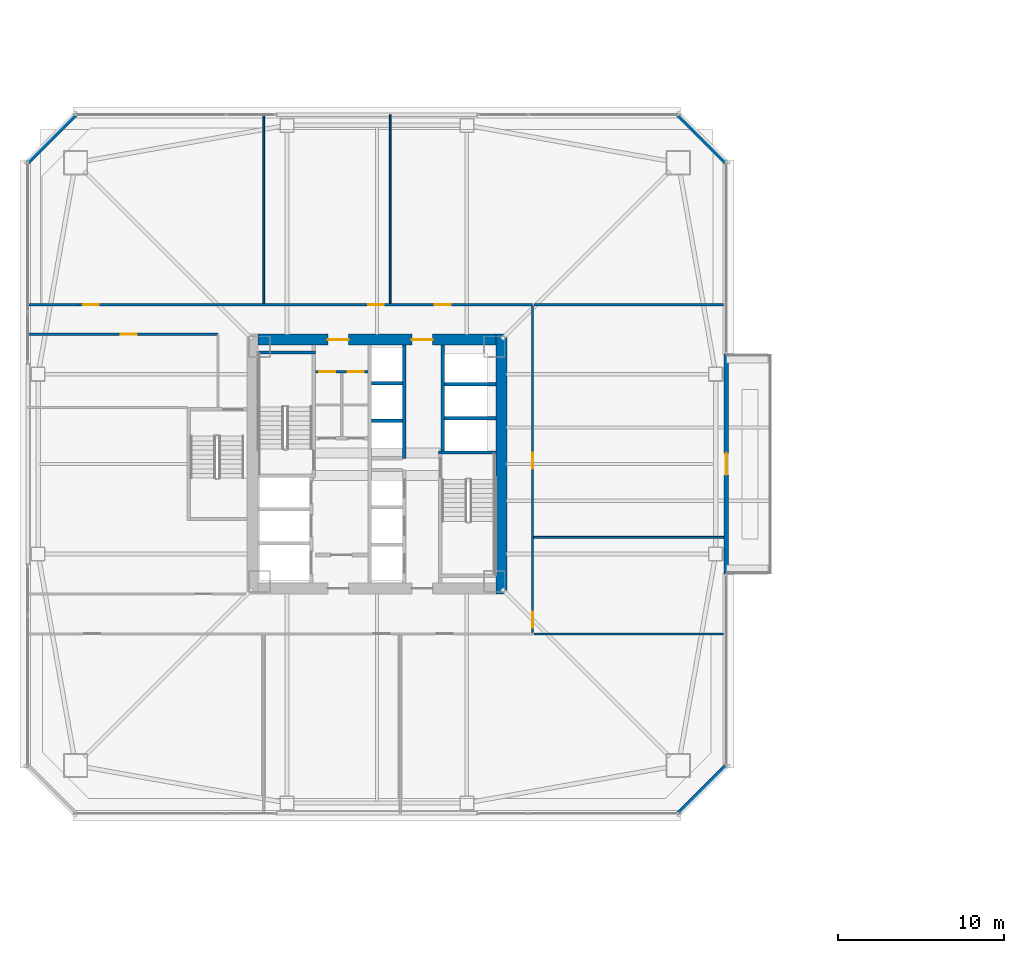
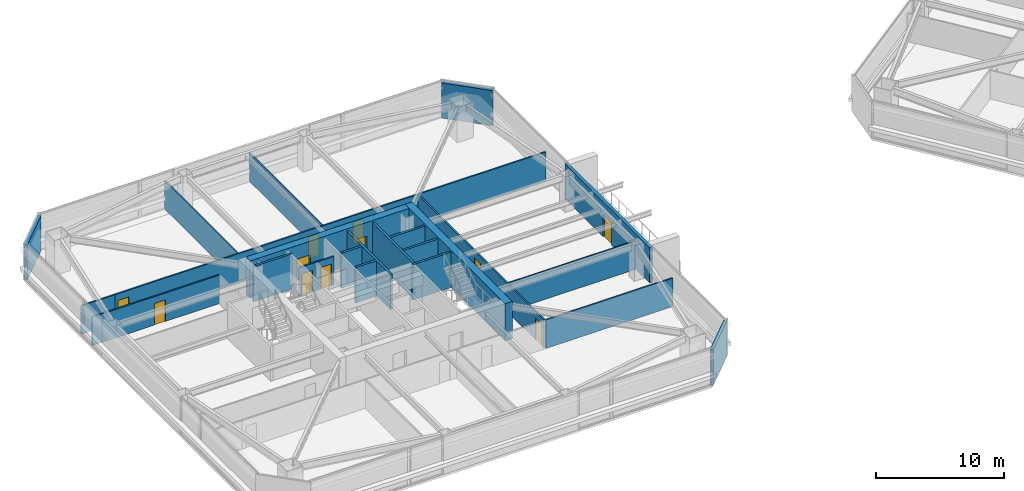
# One storey, part 35 of 44: 24 walls, 11 doors, 11 openings.
"""IFC4 building model written with IfcOpenShell, lengths in metres."""

import ifcopenshell
import ifcopenshell.guid

model = None  # the IFC model being written
_history = None  # IfcOwnerHistory: only IFC2X3 demands one
_inside = {}  # id of a spatial element -> (the spatial element, [elements in it])
_under = {}  # id of a project, library or spatial element -> (it, [spatial elements below it])
_declared = {}  # id of a project -> (the project, [libraries it declares])
_typed = {}  # id of a type object -> (the type object, [elements of that type])
_made_of = {}  # id of a material, layer set ... -> (it, [elements and type objects made of it])


def new_model(schema):
    """Start an empty IFC model of exactly this schema.

    Asked for "IFC4X3", IfcOpenShell would pick the latest addendum, in which some entities
    have other attributes; the version numbers below select the first issue.
    IFC2X3 requires an IfcOwnerHistory on every rooted entity: one is made here for all.
    """
    global model, _history
    if schema == "IFC4X3":
        model = ifcopenshell.file(schema_version=(4, 3, 0, 0))
    else:
        model = ifcopenshell.file(schema=schema)
    _inside.clear()
    _under.clear()
    _declared.clear()
    _typed.clear()
    _made_of.clear()
    _history = None
    if model.schema == "IFC2X3":
        org = make("IfcOrganization", Name="unknown")
        user = make(
            "IfcPersonAndOrganization",
            ThePerson=make("IfcPerson", FamilyName="unknown"),
            TheOrganization=org,
        )
        app = make(
            "IfcApplication",
            ApplicationDeveloper=org,
            Version="unknown",
            ApplicationFullName="unknown",
            ApplicationIdentifier="unknown",
        )
        _history = make(
            "IfcOwnerHistory",
            OwningUser=user,
            OwningApplication=app,
            ChangeAction="ADDED",
            CreationDate=0,
        )
    return model


def make(cls, **values):
    """One entity of the class cls with the attributes given. An attribute that is None is left unset."""
    return model.create_entity(
        cls, **{name: value for name, value in values.items() if value is not None}
    )


def rooted(cls, **values):
    """An entity with a GlobalId (a new one), such as an element, a storey or a relation."""
    return make(cls, GlobalId=ifcopenshell.guid.new(), OwnerHistory=_history, **values)


def si_unit(unit_type, name, prefix=None):
    """IfcSIUnit, for example si_unit("LENGTHUNIT", "METRE", prefix="MILLI")."""
    return make("IfcSIUnit", UnitType=unit_type, Prefix=prefix, Name=name)


def assignment(units):
    """IfcUnitAssignment: the units of a project."""
    return None if units is None else make("IfcUnitAssignment", Units=units)


def point(xyz):
    """IfcCartesianPoint."""
    return None if xyz is None else make("IfcCartesianPoint", Coordinates=xyz)


def direction(xyz):
    """IfcDirection."""
    return None if xyz is None else make("IfcDirection", DirectionRatios=xyz)


def frame(location, z_axis=None, x_axis=None):
    """IfcAxis2Placement3D, a coordinate frame: its origin and axes. An axis left out is left unset."""
    return make(
        "IfcAxis2Placement3D",
        Location=point(location),
        Axis=direction(z_axis),
        RefDirection=direction(x_axis),
    )


def frame_2d(location, x_axis=None):
    """IfcAxis2Placement2D, a coordinate frame in the plane: its origin and x axis."""
    return make(
        "IfcAxis2Placement2D", Location=point(location), RefDirection=direction(x_axis)
    )


def origin():
    """The frame at (0, 0, 0) with its axes left unset."""
    return frame((0.0, 0.0, 0.0))


def place(relative_to, where):
    """IfcLocalPlacement: puts the frame where relative to a parent placement (None: the world)."""
    return make(
        "IfcLocalPlacement", PlacementRelTo=relative_to, RelativePlacement=where
    )


def context(
    kind, dimensions, precision=None, world=None, true_north=None, identifier=None
):
    """IfcGeometricRepresentationContext, for example the 3D "Model" context."""
    return make(
        "IfcGeometricRepresentationContext",
        ContextIdentifier=identifier,
        ContextType=kind,
        CoordinateSpaceDimension=dimensions,
        Precision=precision,
        WorldCoordinateSystem=world,
        TrueNorth=true_north,
    )


def subcontext(parent, identifier, kind, view, scale=None):
    """IfcGeometricRepresentationSubContext, for example "Body" below "Model"."""
    return make(
        "IfcGeometricRepresentationSubContext",
        ContextIdentifier=identifier,
        ContextType=kind,
        ParentContext=parent,
        TargetScale=scale,
        TargetView=view,
    )


def project(units=None, contexts=None):
    """IfcProject with its units and contexts."""
    return rooted(
        "IfcProject",
        Name="project",
        RepresentationContexts=contexts,
        UnitsInContext=assignment(units),
    )


def spatial(cls, under=None, at=None, **own):
    """A site, building, storey or space (cls), placed at a placement, below another one or the project."""
    s = rooted(cls, ObjectPlacement=at, **own)
    if under is not None:
        _under.setdefault(under.id(), (under, []))[1].append(s)
    return s


def profile(cls, at=None, kind="AREA", **sizes):
    """A parametric profile (cls). Its sizes go by their IFC names, for example OverallWidth=200.0."""
    return make(cls, ProfileType=kind, Position=at, **sizes)


def rectangle(**sizes):
    """IfcRectangleProfileDef."""
    return profile("IfcRectangleProfileDef", **sizes)


def extrude(swept, where, along, depth):
    """IfcExtrudedAreaSolid: the profile swept, set in the frame where, extruded along a direction by depth."""
    return make(
        "IfcExtrudedAreaSolid",
        SweptArea=swept,
        Position=where,
        ExtrudedDirection=direction(along),
        Depth=depth,
    )


def shape(context_of_items, identifier, shape_type, items):
    """IfcShapeRepresentation: the items that make up one representation, for example the "Body"."""
    return make(
        "IfcShapeRepresentation",
        ContextOfItems=context_of_items,
        RepresentationIdentifier=identifier,
        RepresentationType=shape_type,
        Items=items,
    )


def material(Name=None, Category=None):
    """IfcMaterial."""
    return make("IfcMaterial", Name=Name, Category=Category)


def layer(
    of_material, thickness, ventilated=None, Name=None, Category=None, Priority=None
):
    """IfcMaterialLayer: one layer of a wall or slab, of a material (None: an air gap)."""
    return make(
        "IfcMaterialLayer",
        Material=of_material,
        LayerThickness=thickness,
        IsVentilated=ventilated,
        Name=Name,
        Category=Category,
        Priority=Priority,
    )


def layer_set(layers, Name=None):
    """IfcMaterialLayerSet."""
    return make("IfcMaterialLayerSet", MaterialLayers=layers, LayerSetName=Name)


def made_of(thing, what):
    """Note that an element or type object is made of a material, layer set ...; save() writes the relation."""
    if what is not None:
        _made_of.setdefault(what.id(), (what, []))[1].append(thing)
    return thing


def type_object(cls, material=None, **own):
    """A type object (cls), such as IfcWallType, which elements share."""
    return made_of(rooted(cls, **own), material)


def element(
    cls,
    number,
    at=None,
    inside=None,
    cuts=None,
    type_object=None,
    material=None,
    context=None,
    identifier="Body",
    shape_type=None,
    held_by="IfcProductDefinitionShape",
    body=None,
    shapes=None,
    **own,
):
    """One element of the class cls, such as IfcWall. Its Tag is "e" and its number.

    at: its placement. inside: the storey or other place that contains it. cuts: it is an
    opening in that element (IfcRelVoidsElement). A single representation is given by context,
    identifier, shape_type and body (its items); several are given by shapes. held_by: the class
    of the entity that holds the representations. save() writes the other relations.
    """
    e = rooted(cls, Tag="e%d" % number, ObjectPlacement=at, **own)
    if body is not None:
        shapes = [shape(context, identifier, shape_type, body)]
    if shapes is not None:
        e.Representation = make(held_by, Representations=shapes)
    if inside is not None:
        _inside.setdefault(inside.id(), (inside, []))[1].append(e)
    if cuts is not None:
        rooted(
            "IfcRelVoidsElement", RelatingBuildingElement=cuts, RelatedOpeningElement=e
        )
    if type_object is not None:
        _typed.setdefault(type_object.id(), (type_object, []))[1].append(e)
    return made_of(e, material)


def fill(opening, filler):
    """IfcRelFillsElement: the door or window that sits in an opening."""
    return rooted(
        "IfcRelFillsElement",
        RelatingOpeningElement=opening,
        RelatedBuildingElement=filler,
    )


def aggregate(whole, parts):
    """IfcRelAggregates: a whole, such as a stair, and the parts it consists of."""
    return rooted("IfcRelAggregates", RelatingObject=whole, RelatedObjects=parts)


def save(model, path):
    """Write the relations noted so far, then the file.

    IfcRelAggregates (storeys below a building ...), IfcRelContainedInSpatialStructure (elements
    in a storey), IfcRelDefinesByType, IfcRelAssociatesMaterial and IfcRelDeclares: one each for
    every whole, place, type object, material and project.
    """
    for whole, parts in _under.values():
        aggregate(whole, parts)
    for where, things in _inside.values():
        rooted(
            "IfcRelContainedInSpatialStructure",
            RelatedElements=things,
            RelatingStructure=where,
        )
    for kind, things in _typed.values():
        rooted("IfcRelDefinesByType", RelatedObjects=things, RelatingType=kind)
    for what, things in _made_of.values():
        rooted("IfcRelAssociatesMaterial", RelatedObjects=things, RelatingMaterial=what)
    for by, libraries in _declared.values():
        rooted("IfcRelDeclares", RelatingContext=by, RelatedDefinitions=libraries)
    model.write(path)


model = new_model("IFC4")

# Units and contexts
model_context = context("Model", 3, precision=1e-05, world=origin(), true_north=direction((0.0, 1.0)))
body_context = subcontext(model_context, "Body", "Model", "MODEL_VIEW")
ifc_project = project(units=[si_unit("LENGTHUNIT", "METRE"), si_unit("AREAUNIT", "SQUARE_METRE"), si_unit("VOLUMEUNIT", "CUBIC_METRE"), si_unit("PLANEANGLEUNIT", "RADIAN"), si_unit("MASSUNIT", "GRAM", prefix="KILO")], contexts=[model_context])

# Site, building, storey
site_placement = place(None, origin())
site = spatial("IfcSite", under=ifc_project, at=site_placement, CompositionType="ELEMENT")
building_placement = place(site_placement, origin())
building = spatial("IfcBuilding", under=site, at=building_placement, Name="Tashvorn Skyway Center", CompositionType="ELEMENT")
storey_placement = place(building_placement, frame((0.0, 0.0, 102.699951171875)))
storey = spatial("IfcBuildingStorey", under=building, at=storey_placement, Name="L27", CompositionType="ELEMENT", Elevation=102.699951171875)

# Wall
ifc_material_1 = material(Name="Concrete C60/75", Category="concrete")
ifc_layer_1 = layer(ifc_material_1, 0.64990234375)
ifc_layer_set_1 = layer_set([ifc_layer_1], Name="Concrete C60/75")
wall_type_1 = type_object("IfcWallType", Name="WALL-CORE-650", PredefinedType="SHEAR", material=ifc_layer_set_1)
wall_1_placement = place(storey_placement, frame((49.47509765625, 39.800048828125, 0.0), z_axis=(0.0, 0.0, 1.0), x_axis=(0.0, -1.0, 0.0)))
element("IfcWall", 1, at=wall_1_placement, inside=storey, type_object=wall_type_1, Name="Tower 1 L27 East Core Shear Wall", PredefinedType="SHEAR", context=body_context, shape_type="SweptSolid", body=[
    extrude(rectangle(XDim=15.60009765625, YDim=0.64990234375, at=frame_2d((7.800048828125, 0.0))), origin(), (0.0, 0.0, 1.0), 3.550048828125),
])

# Wall, openings, doors
wall_2_placement = place(storey_placement, frame((34.85009765625, 39.47509765625, 0.0), z_axis=(0.0, 0.0, 1.0), x_axis=(1.0, 0.0, 0.0)))
wall_2 = element("IfcWall", 2, at=wall_2_placement, inside=storey, type_object=wall_type_1, Name="Tower 1 L27 North Core Shear Wall", PredefinedType="SHEAR", context=body_context, shape_type="SweptSolid", body=[
    extrude(rectangle(XDim=14.2998046875, YDim=0.64990234375, at=frame_2d((7.14990234375, 0.0))), origin(), (0.0, 0.0, 1.0), 3.550048828125),
])
opening_1_placement = place(wall_2_placement, frame((4.199951171875, 0.0, 0.0)))
opening_1 = element("IfcOpeningElement", 3, at=opening_1_placement, cuts=wall_2, Name="Opening D-FFL-1250", PredefinedType="OPENING", context=body_context, shape_type="SweptSolid", body=[
    extrude(rectangle(XDim=1.25, YDim=2.25, at=frame_2d((0.625, 1.125))), frame((0.0, 0.3349609375, 0.0), z_axis=(0.0, -1.0, 0.0), x_axis=(1.0, 0.0, 0.0)), (0.0, 0.0, 1.0), 0.669921875),
])
opening_2_placement = place(wall_2_placement, frame((9.25, 0.0, 0.0)))
opening_2 = element("IfcOpeningElement", 4, at=opening_2_placement, cuts=wall_2, Name="Opening D-FFL-1250", PredefinedType="OPENING", context=body_context, shape_type="SweptSolid", body=[
    extrude(rectangle(XDim=1.25, YDim=2.25, at=frame_2d((0.625, 1.125))), frame((0.0, 0.3349609375, 0.0), z_axis=(0.0, -1.0, 0.0), x_axis=(1.0, 0.0, 0.0)), (0.0, 0.0, 1.0), 0.669921875),
])
ifc_material_2 = material(Name="Hollow galvanized steel fire door assembly", Category="steel")
door_type_1 = type_object("IfcDoorType", Name="DOOR-FFL-1250", OperationType="NOTDEFINED", PredefinedType="DOOR", material=ifc_material_2)
door_1_placement = place(opening_1_placement, origin())
door_1 = element("IfcDoor", 5, at=door_1_placement, inside=storey, type_object=door_type_1, Name="Tower 1 L27 Core North Service Lobby Door", OperationType="SINGLE_SWING_LEFT", OverallHeight=2.25, OverallWidth=1.25, PredefinedType="DOOR", context=body_context, shape_type="SweptSolid", body=[
    extrude(rectangle(XDim=1.25, YDim=2.25, at=frame_2d((0.625, 1.125))), frame((0.0, 0.02490234375, 0.0), z_axis=(0.0, -1.0, 0.0), x_axis=(1.0, 0.0, 0.0)), (0.0, 0.0, 1.0), 0.050048828125),
])
fill(opening_1, door_1)
door_2_placement = place(opening_2_placement, origin())
door_2 = element("IfcDoor", 6, at=door_2_placement, inside=storey, type_object=door_type_1, Name="Tower 1 L27 Core North Lift Lobby Door", OperationType="SINGLE_SWING_RIGHT", OverallHeight=2.25, OverallWidth=1.25, PredefinedType="DOOR", context=body_context, shape_type="SweptSolid", body=[
    extrude(rectangle(XDim=1.25, YDim=2.25, at=frame_2d((0.625, 1.125))), frame((0.0, 0.02490234375, 0.0), z_axis=(0.0, -1.0, 0.0), x_axis=(1.0, 0.0, 0.0)), (0.0, 0.0, 1.0), 0.050048828125),
])
fill(opening_2, door_2)

# Wall, opening, door
ifc_material_3 = material(Name="Precast concrete C40/50", Category="concrete")
ifc_layer_2 = layer(ifc_material_3, 0.280029296875)
ifc_layer_set_2 = layer_set([ifc_layer_2], Name="Precast concrete C40/50")
wall_type_2 = type_object("IfcWallType", Name="WALL-EXT-280", PredefinedType="SOLIDWALL", material=ifc_layer_set_2)
wall_3_placement = place(storey_placement, frame((62.97998046875, 38.60009765625, 0.0), z_axis=(0.0, 0.0, 1.0), x_axis=(0.0, -1.0, 0.0)))
wall_3 = element("IfcWall", 7, at=wall_3_placement, inside=storey, type_object=wall_type_2, Name="Tower 1 L27 East Sky Garden Loggia Wall", PredefinedType="SOLIDWALL", context=body_context, shape_type="SweptSolid", body=[
    extrude(rectangle(XDim=13.2001953125, YDim=0.280029296875, at=frame_2d((6.60009765625, 0.0))), origin(), (0.0, 0.0, 1.0), 3.35009765625),
])
opening_3_placement = place(wall_3_placement, frame((5.949951171875, 0.0, 0.0)))
opening_3 = element("IfcOpeningElement", 8, at=opening_3_placement, cuts=wall_3, Name="Opening D-TER-1300", PredefinedType="OPENING", context=body_context, shape_type="SweptSolid", body=[
    extrude(rectangle(XDim=1.300048828125, YDim=2.14990234375, at=frame_2d((0.64990234375, 1.074951171875))), frame((0.0, 0.14990234375, 0.0), z_axis=(0.0, -1.0, 0.0), x_axis=(1.0, 0.0, 0.0)), (0.0, 0.0, 1.0), 0.300048828125),
])
ifc_material_4 = material(Name="Thermally broken bronze-anodized aluminium 6063-T6", Category="aluminium")
door_type_2 = type_object("IfcDoorType", Name="DOOR-TERR-1300", OperationType="NOTDEFINED", PredefinedType="DOOR", material=ifc_material_4)
door_3_placement = place(opening_3_placement, origin())
door_3 = element("IfcDoor", 9, at=door_3_placement, inside=storey, type_object=door_type_2, Name="Tower 1 L27 Sky Garden Access Door", OperationType="SINGLE_SWING_LEFT", OverallHeight=2.14990234375, OverallWidth=1.300048828125, PredefinedType="DOOR", context=body_context, shape_type="SweptSolid", body=[
    extrude(rectangle(XDim=1.300048828125, YDim=2.14990234375, at=frame_2d((0.64990234375, 1.074951171875))), frame((0.0, 0.02490234375, 0.0), z_axis=(0.0, -1.0, 0.0), x_axis=(1.0, 0.0, 0.0)), (0.0, 0.0, 1.0), 0.050048828125),
])
fill(opening_3, door_3)

# Walls
for number, where, z_axis, x_axis, name in (
    (10, (21.0, 50.10009765625, 0.0), (0.0, 0.0, 1.0), (0.707106781187, 0.707106781187, 0.0), "Tower 1 L27 NW Precast Chamfer Wall"),
    (11, (60.10009765625, 53.0, 0.0), (0.0, 0.0, 1.0), (0.707106781187, -0.707106781187, 0.0), "Tower 1 L27 NE Precast Chamfer Wall"),
    (12, (63.0, 13.89990234375, 0.0), (0.0, 0.0, 1.0), (-0.707106781187, -0.707106781187, 0.0), "Tower 1 L27 SE Precast Chamfer Wall"),
):
    element("IfcWall", number, at=place(storey_placement, frame(where, z_axis=z_axis, x_axis=x_axis)), inside=storey, type_object=wall_type_2, Name=name, PredefinedType="SOLIDWALL", context=body_context, shape_type="SweptSolid", body=[
        extrude(rectangle(XDim=4.10107421875, YDim=0.280029296875, at=frame_2d((2.050537109375, 0.0))), origin(), (0.0, 0.0, 1.0), 3.35009765625),
    ])
ifc_material_5 = material(Name="Gypsum board on cold-formed steel stud framing", Category="steel")
ifc_layer_3 = layer(ifc_material_5, 0.110107421875)
ifc_layer_set_3 = layer_set([ifc_layer_3], Name="Gypsum board on cold-formed steel stud framing")
wall_type_3 = type_object("IfcWallType", Name="WALL-PART-110", PredefinedType="PARTITIONING", material=ifc_layer_set_3)
for number, where, z_axis, x_axis, name in (
    (13, (35.199951171875, 41.64990234375, 0.0), (0.0, 0.0, 1.0), (0.0, 1.0, 0.0), "Tower 1 L27 North Suite Partition 1"),
    (14, (42.800048828125, 41.64990234375, 0.0), (0.0, 0.0, 1.0), (0.0, 1.0, 0.0), "Tower 1 L27 North Suite Partition 2"),
):
    element("IfcWall", number, at=place(storey_placement, frame(where, z_axis=z_axis, x_axis=x_axis)), inside=storey, type_object=wall_type_3, Name=name, PredefinedType="PARTITIONING", context=body_context, shape_type="SweptSolid", body=[
        extrude(rectangle(XDim=11.330078125, YDim=0.110107421875, at=frame_2d((5.6650390625, 0.0))), origin(), (0.0, 0.0, 1.0), 2.703125),
    ])
wall_4_placement = place(storey_placement, frame((51.429931640625, 27.60009765625, 0.0), z_axis=(0.0, 0.0, 1.0), x_axis=(1.0, 0.0, 0.0)))
element("IfcWall", 15, at=wall_4_placement, inside=storey, type_object=wall_type_3, Name="Tower 1 L27 East Suite Partition 1", PredefinedType="PARTITIONING", context=body_context, shape_type="SweptSolid", body=[
    extrude(rectangle(XDim=11.400146484375, YDim=0.110107421875, at=frame_2d((5.7001953125, 0.0))), origin(), (0.0, 0.0, 1.0), 2.703125),
])

# Wall, openings, doors
ifc_layer_4 = layer(ifc_material_5, 0.135009765625)
ifc_layer_set_4 = layer_set([ifc_layer_4], Name="Gypsum board on cold-formed steel stud framing")
wall_type_4 = type_object("IfcWallType", Name="WALL-PART-135", PredefinedType="PARTITIONING", material=ifc_layer_set_4)
wall_5_placement = place(storey_placement, frame((24.050048828125, 41.570068359375, 0.0), z_axis=(0.0, 0.0, 1.0), x_axis=(1.0, 0.0, 0.0)))
wall_5 = element("IfcWall", 16, at=wall_5_placement, inside=storey, type_object=wall_type_4, Name="Tower 1 L27 North Suite Wall", PredefinedType="PARTITIONING", context=body_context, shape_type="SweptSolid", body=[
    extrude(rectangle(XDim=27.300048828125, YDim=0.135009765625, at=frame_2d((13.64990234375, 0.0))), origin(), (0.0, 0.0, 1.0), 2.703125),
])
opening_4_placement = place(wall_5_placement, frame((0.300048828125, 0.0, 0.0)))
opening_4 = element("IfcOpeningElement", 17, at=opening_4_placement, cuts=wall_5, Name="Opening D-INT-950", PredefinedType="OPENING", context=body_context, shape_type="SweptSolid", body=[
    extrude(rectangle(XDim=0.949951171875, YDim=2.050048828125, at=frame_2d((0.47509765625, 1.02490234375))), frame((0.0, 0.077392578125, 0.0), z_axis=(0.0, -1.0, 0.0), x_axis=(1.0, 0.0, 0.0)), (0.0, 0.0, 1.0), 0.155029296875),
])
opening_5_placement = place(wall_5_placement, frame((17.419921875, 0.0, 0.0)))
opening_5 = element("IfcOpeningElement", 18, at=opening_5_placement, cuts=wall_5, Name="Opening D-INT-950", PredefinedType="OPENING", context=body_context, shape_type="SweptSolid", body=[
    extrude(rectangle(XDim=0.949951171875, YDim=2.050048828125, at=frame_2d((0.47509765625, 1.02490234375))), frame((0.0, 0.077392578125, 0.0), z_axis=(0.0, -1.0, 0.0), x_axis=(1.0, 0.0, 0.0)), (0.0, 0.0, 1.0), 0.155029296875),
])
opening_6_placement = place(wall_5_placement, frame((21.436767578125, 0.0, 0.0)))
opening_6 = element("IfcOpeningElement", 19, at=opening_6_placement, cuts=wall_5, Name="Opening D-INT-950", PredefinedType="OPENING", context=body_context, shape_type="SweptSolid", body=[
    extrude(rectangle(XDim=0.949951171875, YDim=2.050048828125, at=frame_2d((0.47509765625, 1.02490234375))), frame((0.0, 0.077392578125, 0.0), z_axis=(0.0, -1.0, 0.0), x_axis=(1.0, 0.0, 0.0)), (0.0, 0.0, 1.0), 0.155029296875),
])
ifc_material_6 = material(Name="Solid-core architectural oak veneer door")
door_type_3 = type_object("IfcDoorType", Name="DOOR-INT-950", OperationType="NOTDEFINED", PredefinedType="DOOR", material=ifc_material_6)
door_4_placement = place(opening_4_placement, origin())
door_4 = element("IfcDoor", 20, at=door_4_placement, inside=storey, type_object=door_type_3, Name="Tower 1 L27 Gallery Showroom Door", OperationType="SINGLE_SWING_RIGHT", OverallHeight=2.050048828125, OverallWidth=0.949951171875, PredefinedType="DOOR", context=body_context, shape_type="SweptSolid", body=[
    extrude(rectangle(XDim=0.949951171875, YDim=2.050048828125, at=frame_2d((0.47509765625, 1.02490234375))), frame((0.0, 0.02490234375, 0.0), z_axis=(0.0, -1.0, 0.0), x_axis=(1.0, 0.0, 0.0)), (0.0, 0.0, 1.0), 0.050048828125),
])
fill(opening_4, door_4)
door_5_placement = place(opening_5_placement, origin())
door_5 = element("IfcDoor", 21, at=door_5_placement, inside=storey, type_object=door_type_3, Name="Tower 1 L27 Gallery Showroom Door", OperationType="SINGLE_SWING_LEFT", OverallHeight=2.050048828125, OverallWidth=0.949951171875, PredefinedType="DOOR", context=body_context, shape_type="SweptSolid", body=[
    extrude(rectangle(XDim=0.949951171875, YDim=2.050048828125, at=frame_2d((0.47509765625, 1.02490234375))), frame((0.0, 0.02490234375, 0.0), z_axis=(0.0, -1.0, 0.0), x_axis=(1.0, 0.0, 0.0)), (0.0, 0.0, 1.0), 0.050048828125),
])
fill(opening_5, door_5)
door_6_placement = place(opening_6_placement, origin())
door_6 = element("IfcDoor", 22, at=door_6_placement, inside=storey, type_object=door_type_3, Name="Tower 1 L27 Corporate Office Door", OperationType="SINGLE_SWING_RIGHT", OverallHeight=2.050048828125, OverallWidth=0.949951171875, PredefinedType="DOOR", context=body_context, shape_type="SweptSolid", body=[
    extrude(rectangle(XDim=0.949951171875, YDim=2.050048828125, at=frame_2d((0.47509765625, 1.02490234375))), frame((0.0, 0.02490234375, 0.0), z_axis=(0.0, -1.0, 0.0), x_axis=(1.0, 0.0, 0.0)), (0.0, 0.0, 1.0), 0.050048828125),
])
fill(opening_6, door_6)

# Wall
wall_6_placement = place(storey_placement, frame((21.02001953125, 41.570068359375, 0.0), z_axis=(0.0, 0.0, 1.0), x_axis=(1.0, 0.0, 0.0)))
element("IfcWall", 23, at=wall_6_placement, inside=storey, type_object=wall_type_4, Name="Tower 1 L27 North-West Suite South Wall", PredefinedType="PARTITIONING", context=body_context, shape_type="SweptSolid", body=[
    extrude(rectangle(XDim=3.030029296875, YDim=0.135009765625, at=frame_2d((1.51513671875, 0.0))), origin(), (0.0, 0.0, 1.0), 2.703125),
])

# Wall, openings, doors
wall_7_placement = place(storey_placement, frame((51.35009765625, 41.489990234375, 0.0), z_axis=(0.0, 0.0, 1.0), x_axis=(0.0, -1.0, 0.0)))
wall_7 = element("IfcWall", 24, at=wall_7_placement, inside=storey, type_object=wall_type_4, Name="Tower 1 L27 East Inner Suite Wall", PredefinedType="PARTITIONING", context=body_context, shape_type="SweptSolid", body=[
    extrude(rectangle(XDim=19.610107421875, YDim=0.135009765625, at=frame_2d((9.80517578125, 0.0))), origin(), (0.0, 0.0, 1.0), 2.703125),
])
opening_7_placement = place(wall_7_placement, frame((18.360107421875, 0.0, 0.0)))
opening_7 = element("IfcOpeningElement", 25, at=opening_7_placement, cuts=wall_7, Name="Opening D-INT-950", PredefinedType="OPENING", context=body_context, shape_type="SweptSolid", body=[
    extrude(rectangle(XDim=0.949951171875, YDim=2.050048828125, at=frame_2d((0.47509765625, 1.02490234375))), frame((0.0, 0.077392578125, 0.0), z_axis=(0.0, -1.0, 0.0), x_axis=(1.0, 0.0, 0.0)), (0.0, 0.0, 1.0), 0.155029296875),
])
opening_8_placement = place(wall_7_placement, frame((8.806884765625, 0.0, 0.0)))
opening_8 = element("IfcOpeningElement", 26, at=opening_8_placement, cuts=wall_7, Name="Opening D-INT-950", PredefinedType="OPENING", context=body_context, shape_type="SweptSolid", body=[
    extrude(rectangle(XDim=0.949951171875, YDim=2.050048828125, at=frame_2d((0.47509765625, 1.02490234375))), frame((0.0, 0.077392578125, 0.0), z_axis=(0.0, -1.0, 0.0), x_axis=(1.0, 0.0, 0.0)), (0.0, 0.0, 1.0), 0.155029296875),
])
door_7_placement = place(opening_7_placement, origin())
door_7 = element("IfcDoor", 27, at=door_7_placement, inside=storey, type_object=door_type_3, Name="Tower 1 L27 Conference Room Door", OperationType="SINGLE_SWING_RIGHT", OverallHeight=2.050048828125, OverallWidth=0.949951171875, PredefinedType="DOOR", context=body_context, shape_type="SweptSolid", body=[
    extrude(rectangle(XDim=0.949951171875, YDim=2.050048828125, at=frame_2d((0.47509765625, 1.02490234375))), frame((0.0, 0.02490234375, 0.0), z_axis=(0.0, -1.0, 0.0), x_axis=(1.0, 0.0, 0.0)), (0.0, 0.0, 1.0), 0.050048828125),
])
fill(opening_7, door_7)
door_8_placement = place(opening_8_placement, origin())
door_8 = element("IfcDoor", 28, at=door_8_placement, inside=storey, type_object=door_type_3, Name="Tower 1 L27 Public Restroom Door", OperationType="SINGLE_SWING_LEFT", OverallHeight=2.050048828125, OverallWidth=0.949951171875, PredefinedType="DOOR", context=body_context, shape_type="SweptSolid", body=[
    extrude(rectangle(XDim=0.949951171875, YDim=2.050048828125, at=frame_2d((0.47509765625, 1.02490234375))), frame((0.0, 0.02490234375, 0.0), z_axis=(0.0, -1.0, 0.0), x_axis=(1.0, 0.0, 0.0)), (0.0, 0.0, 1.0), 0.050048828125),
])
fill(opening_8, door_8)

# Walls
for number, where, z_axis, x_axis, name in (
    (29, (62.830078125, 41.570068359375, 0.0), (0.0, 0.0, 1.0), (-1.0, 0.0, 0.0), "Tower 1 L27 East Suite North Wall"),
    (30, (51.429931640625, 21.800048828125, 0.0), (0.0, 0.0, 1.0), (1.0, 0.0, 0.0), "Tower 1 L27 East Suite South Wall"),
):
    element("IfcWall", number, at=place(storey_placement, frame(where, z_axis=z_axis, x_axis=x_axis)), inside=storey, type_object=wall_type_4, Name=name, PredefinedType="PARTITIONING", context=body_context, shape_type="SweptSolid", body=[
        extrude(rectangle(XDim=11.400146484375, YDim=0.135009765625, at=frame_2d((5.7001953125, 0.0))), origin(), (0.0, 0.0, 1.0), 2.703125),
    ])

# Wall, opening, door
wall_8_placement = place(storey_placement, frame((32.449951171875, 39.800048828125, 0.0), z_axis=(0.0, 0.0, 1.0), x_axis=(-1.0, 0.0, 0.0)))
wall_8 = element("IfcWall", 31, at=wall_8_placement, inside=storey, type_object=wall_type_4, Name="Tower 1 L27 West Suite North Wall", PredefinedType="PARTITIONING", context=body_context, shape_type="SweptSolid", body=[
    extrude(rectangle(XDim=11.429931640625, YDim=0.135009765625, at=frame_2d((5.71484375, 0.0))), origin(), (0.0, 0.0, 1.0), 2.703125),
])
opening_9_placement = place(wall_8_placement, frame((4.889892578125, 0.0, 0.0)))
opening_9 = element("IfcOpeningElement", 32, at=opening_9_placement, cuts=wall_8, Name="Opening D-INT-950", PredefinedType="OPENING", context=body_context, shape_type="SweptSolid", body=[
    extrude(rectangle(XDim=0.949951171875, YDim=2.050048828125, at=frame_2d((0.47509765625, 1.02490234375))), frame((0.0, 0.077392578125, 0.0), z_axis=(0.0, -1.0, 0.0), x_axis=(1.0, 0.0, 0.0)), (0.0, 0.0, 1.0), 0.155029296875),
])
door_9_placement = place(opening_9_placement, origin())
door_9 = element("IfcDoor", 33, at=door_9_placement, inside=storey, type_object=door_type_3, Name="Tower 1 L27 Collaborative Studio Door", OperationType="SINGLE_SWING_RIGHT", OverallHeight=2.050048828125, OverallWidth=0.949951171875, PredefinedType="DOOR", context=body_context, shape_type="SweptSolid", body=[
    extrude(rectangle(XDim=0.949951171875, YDim=2.050048828125, at=frame_2d((0.47509765625, 1.02490234375))), frame((0.0, 0.02490234375, 0.0), z_axis=(0.0, -1.0, 0.0), x_axis=(1.0, 0.0, 0.0)), (0.0, 0.0, 1.0), 0.050048828125),
])
fill(opening_9, door_9)

# Wall, openings, doors
ifc_layer_5 = layer(ifc_material_5, 0.135009765625)
ifc_layer_set_5 = layer_set([ifc_layer_5], Name="Gypsum board on cold-formed steel stud framing")
wall_type_5 = type_object("IfcWallType", Name="WALL-RATED-135", PredefinedType="PARTITIONING", material=ifc_layer_set_5)
wall_9_placement = place(storey_placement, frame((38.300048828125, 37.550048828125, 0.0), z_axis=(0.0, 0.0, 1.0), x_axis=(1.0, 0.0, 0.0)))
wall_9 = element("IfcWall", 34, at=wall_9_placement, inside=storey, type_object=wall_type_5, Name="Tower 1 L27 Core Service Lobby Wall", PredefinedType="PARTITIONING", context=body_context, shape_type="SweptSolid", body=[
    extrude(rectangle(XDim=3.14990234375, YDim=0.135009765625, at=frame_2d((1.574951171875, 0.0))), origin(), (0.0, 0.0, 1.0), 2.703125),
])
opening_10_placement = place(wall_9_placement, frame((0.25, 0.0, 0.0)))
opening_10 = element("IfcOpeningElement", 35, at=opening_10_placement, cuts=wall_9, Name="Opening D-RT-950", PredefinedType="OPENING", context=body_context, shape_type="SweptSolid", body=[
    extrude(rectangle(XDim=0.949951171875, YDim=2.050048828125, at=frame_2d((0.47509765625, 1.02490234375))), frame((0.0, 0.077392578125, 0.0), z_axis=(0.0, -1.0, 0.0), x_axis=(1.0, 0.0, 0.0)), (0.0, 0.0, 1.0), 0.155029296875),
])
opening_11_placement = place(wall_9_placement, frame((1.949951171875, 0.0, 0.0)))
opening_11 = element("IfcOpeningElement", 36, at=opening_11_placement, cuts=wall_9, Name="Opening D-RT-950", PredefinedType="OPENING", context=body_context, shape_type="SweptSolid", body=[
    extrude(rectangle(XDim=0.949951171875, YDim=2.050048828125, at=frame_2d((0.47509765625, 1.02490234375))), frame((0.0, 0.077392578125, 0.0), z_axis=(0.0, -1.0, 0.0), x_axis=(1.0, 0.0, 0.0)), (0.0, 0.0, 1.0), 0.155029296875),
])
door_type_4 = type_object("IfcDoorType", Name="DOOR-RATED-950", OperationType="NOTDEFINED", PredefinedType="DOOR", material=ifc_material_2)
door_10_placement = place(opening_10_placement, origin())
door_10 = element("IfcDoor", 37, at=door_10_placement, inside=storey, type_object=door_type_4, Name="Tower 1 L27 Core Cleaner Store Door", OperationType="SINGLE_SWING_LEFT", OverallHeight=2.050048828125, OverallWidth=0.949951171875, PredefinedType="DOOR", context=body_context, shape_type="SweptSolid", body=[
    extrude(rectangle(XDim=0.949951171875, YDim=2.050048828125, at=frame_2d((0.47509765625, 1.02490234375))), frame((0.0, 0.02490234375, 0.0), z_axis=(0.0, -1.0, 0.0), x_axis=(1.0, 0.0, 0.0)), (0.0, 0.0, 1.0), 0.050048828125),
])
fill(opening_10, door_10)
door_11_placement = place(opening_11_placement, origin())
door_11 = element("IfcDoor", 38, at=door_11_placement, inside=storey, type_object=door_type_4, Name="Tower 1 L27 Core Accessible WC Door", OperationType="SINGLE_SWING_RIGHT", OverallHeight=2.050048828125, OverallWidth=0.949951171875, PredefinedType="DOOR", context=body_context, shape_type="SweptSolid", body=[
    extrude(rectangle(XDim=0.949951171875, YDim=2.050048828125, at=frame_2d((0.47509765625, 1.02490234375))), frame((0.0, 0.02490234375, 0.0), z_axis=(0.0, -1.0, 0.0), x_axis=(1.0, 0.0, 0.0)), (0.0, 0.0, 1.0), 0.050048828125),
])
fill(opening_11, door_11)

# Walls
ifc_material_7 = material(Name="Concrete C40/50", Category="concrete")
ifc_layer_6 = layer(ifc_material_7, 0.199951171875)
ifc_layer_set_6 = layer_set([ifc_layer_6], Name="Concrete C40/50")
wall_type_6 = type_object("IfcWallType", Name="WALL-SHAFT-200", PredefinedType="SOLIDWALL", material=ifc_layer_set_6)
for number, where, z_axis, x_axis, name in (
    (39, (46.050048828125, 34.75, 0.0), (0.0, 0.0, 1.0), (1.0, 0.0, 0.0), "Tower 1 L27 High-Rise Shaft Divider"),
    (40, (46.050048828125, 36.800048828125, 0.0), (0.0, 0.0, 1.0), (1.0, 0.0, 0.0), "Tower 1 L27 High-Rise Shaft Divider"),
):
    element("IfcWall", number, at=place(storey_placement, frame(where, z_axis=z_axis, x_axis=x_axis)), inside=storey, type_object=wall_type_6, Name=name, PredefinedType="SOLIDWALL", context=body_context, shape_type="SweptSolid", body=[
        extrude(rectangle(XDim=3.099853515625, YDim=0.199951171875, at=frame_2d((1.5498046875, 0.0))), origin(), (0.0, 0.0, 1.0), 3.35009765625),
    ])
wall_10_placement = place(storey_placement, frame((43.64990234375, 32.35009765625, 0.0), z_axis=(0.0, 0.0, 1.0), x_axis=(0.0, 1.0, 0.0)))
element("IfcWall", 41, at=wall_10_placement, inside=storey, type_object=wall_type_6, Name="Tower 1 L27 Mid-Rise Core Wall", PredefinedType="SOLIDWALL", context=body_context, shape_type="SweptSolid", body=[
    extrude(rectangle(XDim=6.7998046875, YDim=0.199951171875, at=frame_2d((3.39990234375, 0.0))), origin(), (0.0, 0.0, 1.0), 3.35009765625),
])
for number, where, z_axis, x_axis, name in (
    (42, (41.669921875, 34.60009765625, 0.0), (0.0, 0.0, 1.0), (1.0, 0.0, 0.0), "Tower 1 L27 Mid-Rise Shaft Divider"),
    (43, (41.669921875, 36.85009765625, 0.0), (0.0, 0.0, 1.0), (1.0, 0.0, 0.0), "Tower 1 L27 Mid-Rise Shaft Divider"),
):
    element("IfcWall", number, at=place(storey_placement, frame(where, z_axis=z_axis, x_axis=x_axis)), inside=storey, type_object=wall_type_6, Name=name, PredefinedType="SOLIDWALL", context=body_context, shape_type="SweptSolid", body=[
        extrude(rectangle(XDim=1.880126953125, YDim=0.199951171875, at=frame_2d((0.93994140625, 0.0))), origin(), (0.0, 0.0, 1.0), 3.35009765625),
    ])
ifc_layer_7 = layer(ifc_material_7, 0.199951171875)
ifc_layer_set_7 = layer_set([ifc_layer_7], Name="Concrete C40/50")
wall_type_7 = type_object("IfcWallType", Name="WALL-STSHF-200", PredefinedType="SHEAR", material=ifc_layer_set_7)
for number, where, z_axis, x_axis, name in (
    (44, (34.85009765625, 38.699951171875, 0.0), (0.0, 0.0, 1.0), (1.0, 0.0, 0.0), "Tower 1 L27 Stair 1 North Wall"),
    (45, (45.699951171875, 32.699951171875, 0.0), (0.0, 0.0, 1.0), (1.0, 0.0, 0.0), "Tower 1 L27 Stair 2 North Wall"),
):
    element("IfcWall", number, at=place(storey_placement, frame(where, z_axis=z_axis, x_axis=x_axis)), inside=storey, type_object=wall_type_7, Name=name, PredefinedType="SHEAR", context=body_context, shape_type="SweptSolid", body=[
        extrude(rectangle(XDim=3.449951171875, YDim=0.199951171875, at=frame_2d((1.72509765625, 0.0))), origin(), (0.0, 0.0, 1.0), 3.35009765625),
    ])
wall_11_placement = place(storey_placement, frame((45.949951171875, 39.14990234375, 0.0), z_axis=(0.0, 0.0, 1.0), x_axis=(0.0, -1.0, 0.0)))
element("IfcWall", 46, at=wall_11_placement, inside=storey, type_object=wall_type_7, Name="Tower 1 L27 High-Rise Lift Shaft Front Wall", PredefinedType="SHEAR", context=body_context, shape_type="SweptSolid", body=[
    extrude(rectangle(XDim=6.349853515625, YDim=0.199951171875, at=frame_2d((3.1748046875, 0.0))), origin(), (0.0, 0.0, 1.0), 3.35009765625),
])

save(model, "model.ifc")
